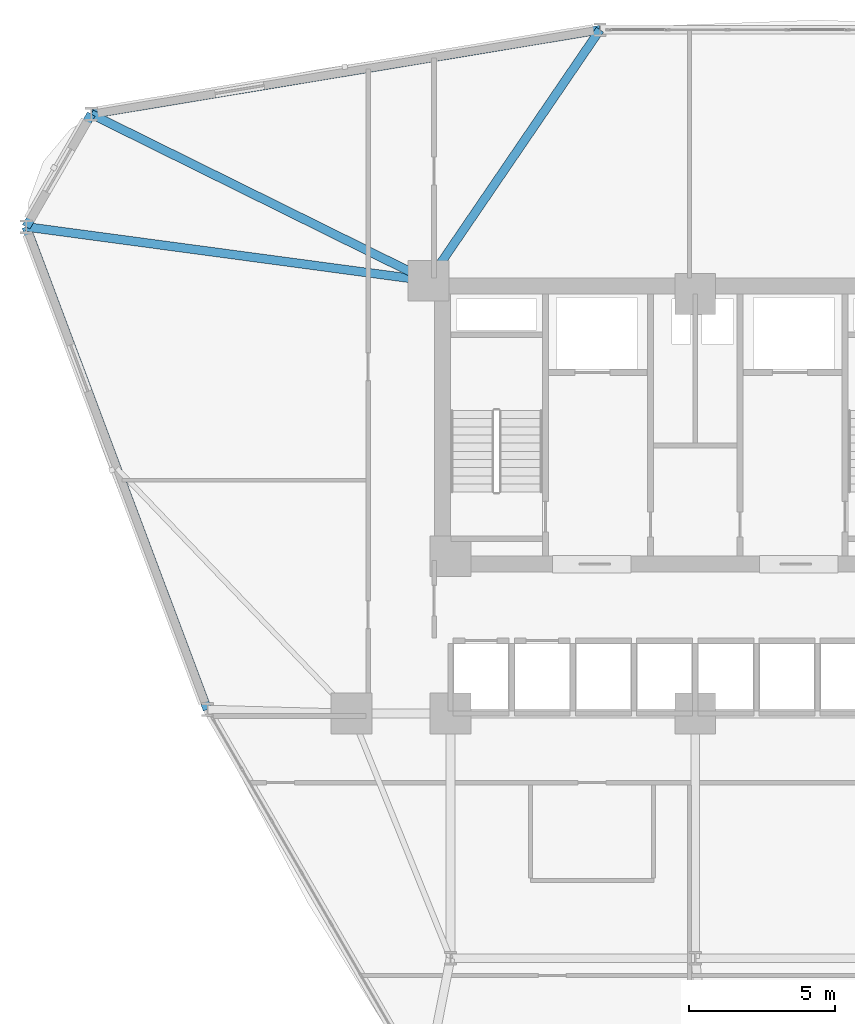
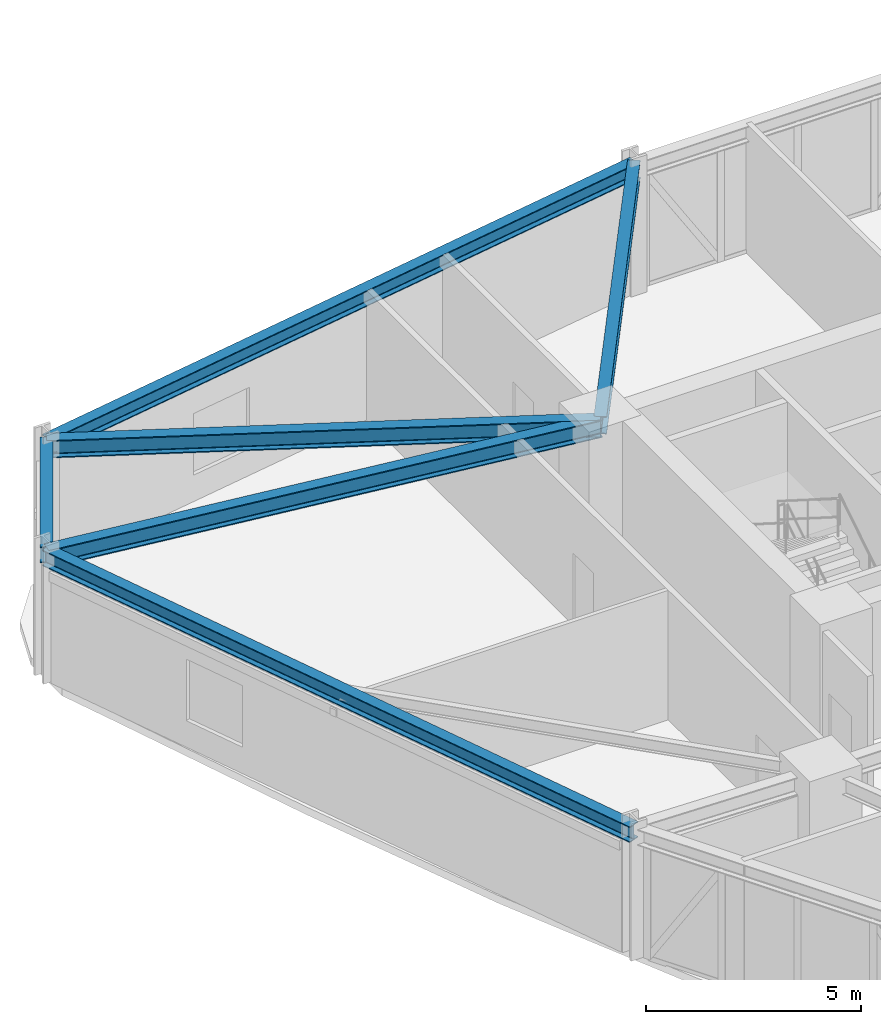
# One storey, part 9 of 20: 6 beams.
"""IFC4 building model written with IfcOpenShell, lengths in metres."""

from ifc_helpers import new_model, si_unit, derived_unit, direction, frame, origin, origin_2d, place, context, subcontext, project, spatial, i_section, extrude, source, transform, mapped, material, material_profile, profile_set, type_object, element, save


model = new_model("IFC4")

# Units and contexts
model_context = context("Model", 3, precision=1e-05, world=origin(), true_north=direction((0.0, 1.0)))
body_context = subcontext(model_context, "Body", "Model", "MODEL_VIEW")
ifc_project = project(units=[si_unit("LENGTHUNIT", "METRE"), si_unit("AREAUNIT", "SQUARE_METRE"), si_unit("VOLUMEUNIT", "CUBIC_METRE"), si_unit("PLANEANGLEUNIT", "RADIAN"), si_unit("MASSUNIT", "GRAM", prefix="KILO"), derived_unit("THERMALTRANSMITTANCEUNIT", [(si_unit("POWERUNIT", "WATT"), 1), (si_unit("LENGTHUNIT", "METRE"), -2), (si_unit("THERMODYNAMICTEMPERATUREUNIT", "KELVIN"), -1)])], contexts=[model_context])

# Site, building, storey
site_placement = place(None, origin())
site = spatial("IfcSite", under=ifc_project, at=site_placement, CompositionType="ELEMENT")
building_placement = place(site_placement, origin())
building = spatial("IfcBuilding", under=site, at=building_placement, Name="Korsvarv Bourse and Concert Hall", CompositionType="ELEMENT")
storey_placement = place(building_placement, frame((0.0, 0.0, 75.60009765625)))
storey = spatial("IfcBuildingStorey", under=building, at=storey_placement, Name="L18", CompositionType="ELEMENT", Elevation=75.60009765625)

# Beams
ifc_material = material(Name="Steel S355", Category="steel")
ifc_material_profile_1 = material_profile(ifc_material, i_section(OverallWidth=0.300048828125, OverallDepth=0.449951171875, WebThickness=0.013916015625, FlangeThickness=0.02587890625, FilletRadius=0.02099609375, at=origin_2d()), Name="HEB 450")
ifc_profile_set_1 = profile_set([ifc_material_profile_1], Name="Steel S355")
beam_type_1 = type_object("IfcBeamType", Name="BM-HEB450", PredefinedType="SPANDREL", material=ifc_profile_set_1)
shared_shape_1 = source(origin(), body_context, "Body", "SweptSolid", [
    extrude(i_section(OverallWidth=0.300048828125, OverallDepth=0.449951171875, WebThickness=0.013916015625, FlangeThickness=0.02587890625, FilletRadius=0.02099609375, at=origin_2d()), origin(), (0.0, 0.0, 1.0), 17.69775390625),
])
for number, where, z_axis, x_axis, name in (
    (1, (32.731201171875, 55.86767578125, 3.454833984375), (-0.986522993276, -0.163622687109, 0.0), (0.163622687109, -0.986522993276, 0.0), "L18 beam B-08"),
    (2, (13.037841796875, 49.102294921875, 3.454833984375), (0.351563328241, -0.936164102194, 0.0), (0.936164102194, 0.351563328241, 0.0), "L18 beam B-08"),
):
    element("IfcBeam", number, at=place(storey_placement, frame(where, z_axis=z_axis, x_axis=x_axis)), inside=storey, type_object=beam_type_1, Name=name, PredefinedType="SPANDREL", context=body_context, shape_type="MappedRepresentation", body=[
        mapped(shared_shape_1, transform((0.0, 0.0, 0.0), scale=1.0)),
    ])
shared_shape_2 = source(origin(), body_context, "Body", "SweptSolid", [
    extrude(i_section(OverallWidth=0.300048828125, OverallDepth=0.449951171875, WebThickness=0.013916015625, FlangeThickness=0.02587890625, FilletRadius=0.02099609375, at=origin_2d()), origin(), (0.0, 0.0, 1.0), 4.46826171875),
])
beam_1_placement = place(storey_placement, frame((15.27197265625, 52.971923828125, 3.454833984375), z_axis=(-0.499999927604, -0.866025445582, 0.0), x_axis=(0.866025445582, -0.499999927604, 0.0)))
element("IfcBeam", 3, at=beam_1_placement, inside=storey, type_object=beam_type_1, Name="L18 beam B-08", PredefinedType="SPANDREL", context=body_context, shape_type="MappedRepresentation", body=[
    mapped(shared_shape_2, transform((0.0, 0.0, 0.0), scale=1.0)),
])
ifc_material_profile_2 = material_profile(ifc_material, i_section(OverallWidth=0.300048828125, OverallDepth=0.5, WebThickness=0.014404296875, FlangeThickness=0.028076171875, FilletRadius=0.02392578125, at=origin_2d()), Name="HEB 500")
ifc_profile_set_2 = profile_set([ifc_material_profile_2], Name="Steel S355")
beam_type_2 = type_object("IfcBeamType", Name="BM-HEB500", PredefinedType="BEAM", material=ifc_profile_set_2)
shared_shape_3 = source(origin(), body_context, "Body", "SweptSolid", [
    extrude(i_section(OverallWidth=0.300048828125, OverallDepth=0.5, WebThickness=0.014404296875, FlangeThickness=0.028076171875, FilletRadius=0.02392578125, at=origin_2d()), origin(), (0.0, 0.0, 1.0), 10.43310546875),
])
beam_2_placement = place(storey_placement, frame((32.731201171875, 55.86767578125, 3.429931640625), z_axis=(-0.563691111614, -0.825985672205, 0.0), x_axis=(0.825985672205, -0.563691111614, 0.0)))
element("IfcBeam", 4, at=beam_2_placement, inside=storey, type_object=beam_type_2, Name="L18 beam B-07", PredefinedType="BEAM", context=body_context, shape_type="MappedRepresentation", body=[
    mapped(shared_shape_3, transform((0.0, 0.0, 0.0), scale=1.0)),
])
shared_shape_4 = source(origin(), body_context, "Body", "SweptSolid", [
    extrude(i_section(OverallWidth=0.300048828125, OverallDepth=0.5, WebThickness=0.014404296875, FlangeThickness=0.028076171875, FilletRadius=0.02392578125, at=origin_2d()), origin(), (0.0, 0.0, 1.0), 12.914794921875),
])
beam_3_placement = place(storey_placement, frame((15.27197265625, 52.971923828125, 3.429931640625), z_axis=(0.896496947443, -0.443049910535, 0.0), x_axis=(0.443049910535, 0.896496947443, 0.0)))
element("IfcBeam", 5, at=beam_3_placement, inside=storey, type_object=beam_type_2, Name="L18 beam B-07", PredefinedType="BEAM", context=body_context, shape_type="MappedRepresentation", body=[
    mapped(shared_shape_4, transform((0.0, 0.0, 0.0), scale=1.0)),
])
shared_shape_5 = source(origin(), body_context, "Body", "SweptSolid", [
    extrude(i_section(OverallWidth=0.300048828125, OverallDepth=0.5, WebThickness=0.014404296875, FlangeThickness=0.028076171875, FilletRadius=0.02392578125, at=origin_2d()), origin(), (0.0, 0.0, 1.0), 13.935791015625),
])
beam_4_placement = place(storey_placement, frame((13.037841796875, 49.102294921875, 3.429931640625), z_axis=(0.991127398865, -0.132915308443, 0.0), x_axis=(0.132915308443, 0.991127398865, 0.0)))
element("IfcBeam", 6, at=beam_4_placement, inside=storey, type_object=beam_type_2, Name="L18 beam B-07", PredefinedType="BEAM", context=body_context, shape_type="MappedRepresentation", body=[
    mapped(shared_shape_5, transform((0.0, 0.0, 0.0), scale=1.0)),
])

save(model, "model.ifc")
